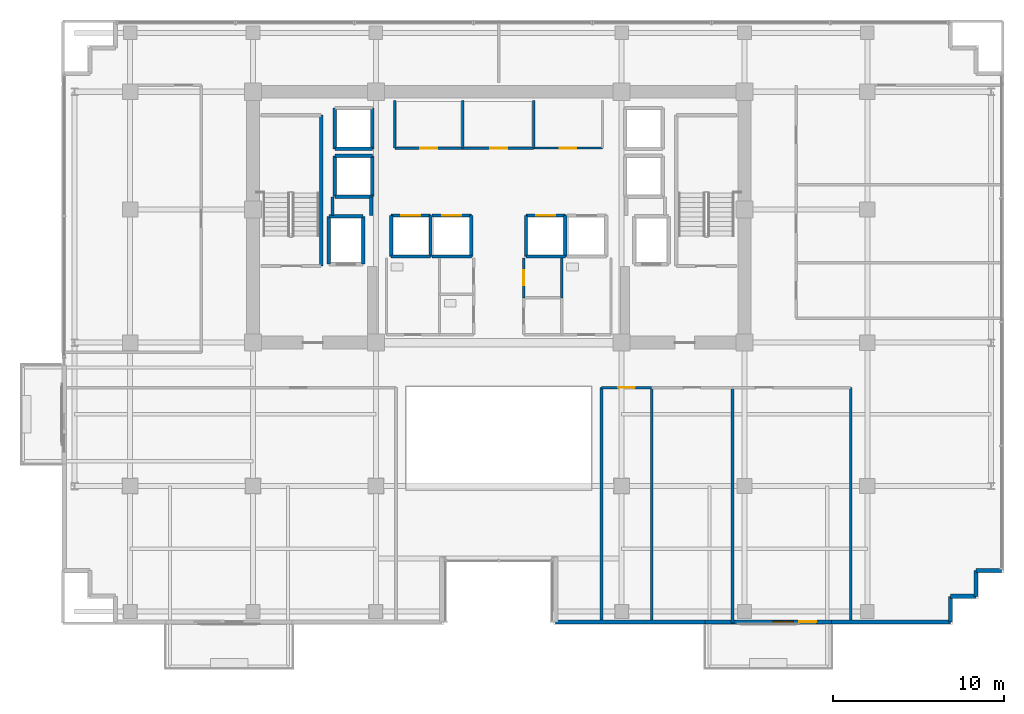
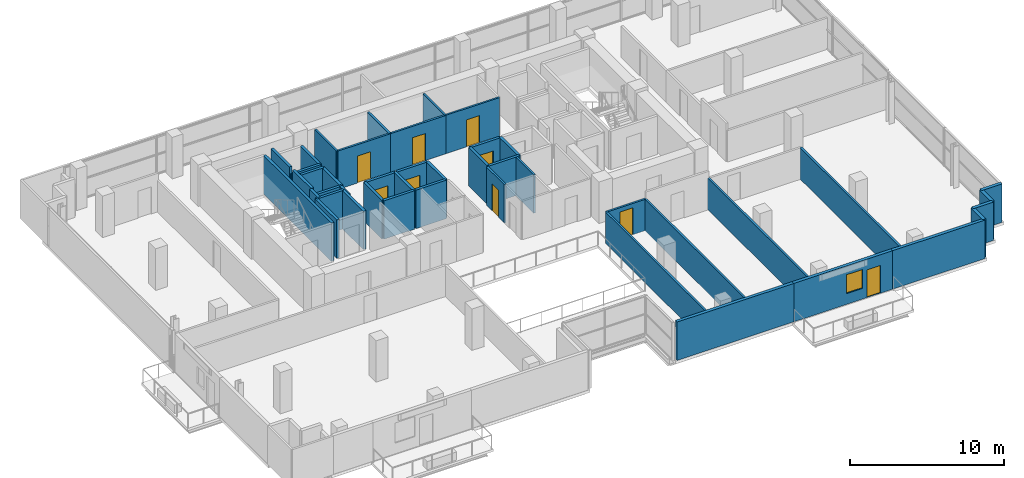
# One storey, part 16 of 22: 44 walls, 9 doors, 1 window, 10 openings.
"""IFC4 building model written with IfcOpenShell, lengths in metres."""

from ifc_helpers import new_model, si_unit, direction, frame, frame_2d, origin, place, context, subcontext, project, spatial, rectangle, extrude, source, transform, mapped, material, layer, layer_set, type_object, element, fill, save


model = new_model("IFC4")

# Units and contexts
model_context = context("Model", 3, precision=1e-05, world=origin(), true_north=direction((0.0, 1.0)))
body_context = subcontext(model_context, "Body", "Model", "MODEL_VIEW")
ifc_project = project(units=[si_unit("LENGTHUNIT", "METRE"), si_unit("AREAUNIT", "SQUARE_METRE"), si_unit("VOLUMEUNIT", "CUBIC_METRE"), si_unit("PLANEANGLEUNIT", "RADIAN"), si_unit("MASSUNIT", "GRAM", prefix="KILO")], contexts=[model_context])

# Site, building, storey
site_placement = place(None, origin())
site = spatial("IfcSite", under=ifc_project, at=site_placement, CompositionType="ELEMENT")
building_placement = place(site_placement, origin())
building = spatial("IfcBuilding", under=site, at=building_placement, Name="Zarnakvel Exchange Tower", CompositionType="ELEMENT")
storey_placement = place(building_placement, frame((0.0, 0.0, 136.300048828125)))
storey = spatial("IfcBuildingStorey", under=building, at=storey_placement, Name="L38", CompositionType="ELEMENT", Elevation=136.300048828125)

# Wall, openings, door, window
ifc_material_1 = material(Name="Precast concrete C40/50", Category="concrete")
ifc_layer_1 = layer(ifc_material_1, 0.239990234375)
ifc_layer_set_1 = layer_set([ifc_layer_1], Name="Precast concrete C40/50")
wall_type_1 = type_object("IfcWallType", Name="EW-02", PredefinedType="SOLIDWALL", material=ifc_layer_set_1)
wall_1_placement = place(storey_placement, frame((19.5, -17.56005859375, 0.0), z_axis=(0.0, 0.0, 1.0), x_axis=(-1.0, 0.0, 0.0)))
wall_1 = element("IfcWall", 1, at=wall_1_placement, inside=storey, type_object=wall_type_1, Name="L38 Exterior Precast Spandrel Wall EW-BAL-L38-SE (EW-02)", PredefinedType="SOLIDWALL", context=body_context, shape_type="SweptSolid", body=[
    extrude(rectangle(XDim=7.39990234375, YDim=0.239990234375, at=frame_2d((3.699951171875, 0.0))), origin(), (0.0, 0.0, 1.0), 3.050048828125),
])
opening_1_placement = place(wall_1_placement, frame((0.887939453125, 0.0, 0.0)))
opening_1 = element("IfcOpeningElement", 2, at=opening_1_placement, cuts=wall_1, Name="Opening BD-L38-02", PredefinedType="OPENING", context=body_context, shape_type="SweptSolid", body=[
    extrude(rectangle(XDim=1.0, YDim=2.199951171875, at=frame_2d((0.5, 1.10009765625))), frame((0.0, 0.1298828125, 0.0), z_axis=(0.0, -1.0, 0.0), x_axis=(1.0, 0.0, 0.0)), (0.0, 0.0, 1.0), 0.260009765625),
])
opening_2_placement = place(wall_1_placement, frame((2.238037109375, 0.0, 0.85009765625)))
opening_2 = element("IfcOpeningElement", 3, at=opening_2_placement, cuts=wall_1, Name="Opening WN-04", PredefinedType="OPENING", context=body_context, shape_type="SweptSolid", body=[
    extrude(rectangle(XDim=1.199951171875, YDim=1.5, at=frame_2d((0.60009765625, 0.75))), frame((0.0, 0.1298828125, 0.0), z_axis=(0.0, -1.0, 0.0), x_axis=(1.0, 0.0, 0.0)), (0.0, 0.0, 1.0), 0.260009765625),
])
ifc_material_2 = material(Name="Architectural Bronze Anodised Aluminium", Category="aluminium")
door_type_1 = type_object("IfcDoorType", Name="DT-09", OperationType="NOTDEFINED", PredefinedType="DOOR", material=ifc_material_2)
shared_shape_1 = source(origin(), body_context, "Body", "SweptSolid", [
    extrude(rectangle(XDim=1.0, YDim=2.199951171875, at=frame_2d((0.5, 1.10009765625))), frame((0.0, 0.02490234375, 0.0), z_axis=(0.0, -1.0, 0.0), x_axis=(1.0, 0.0, 0.0)), (0.0, 0.0, 1.0), 0.050048828125),
])
door_1_placement = place(opening_1_placement, origin())
door_1 = element("IfcDoor", 4, at=door_1_placement, inside=storey, type_object=door_type_1, Name="L38 Planted Loggia Balcony Door BD-L38-02", OperationType="SINGLE_SWING_LEFT", OverallHeight=2.199951171875, OverallWidth=1.0, PredefinedType="DOOR", context=body_context, shape_type="MappedRepresentation", body=[
    mapped(shared_shape_1, transform((0.0, 0.0, 0.0), x_axis=(1.0, 0.0, 0.0), y_axis=(0.0, 1.0, 0.0), z_axis=(0.0, 0.0, 1.0), scale=1.0)),
])
fill(opening_1, door_1)
ifc_material_3 = material(Name="Double Low-E Laminated Vision Glass", Category="glass")
window_type = type_object("IfcWindowType", Name="WN-04", PartitioningType="SINGLE_PANEL", PredefinedType="WINDOW", material=ifc_material_3)
shared_shape_2 = source(origin(), body_context, "Body", "SweptSolid", [
    extrude(rectangle(XDim=1.199951171875, YDim=1.5, at=frame_2d((0.60009765625, 0.75))), frame((0.0, 0.030029296875, 0.0), z_axis=(0.0, -1.0, 0.0), x_axis=(1.0, 0.0, 0.0)), (0.0, 0.0, 1.0), 0.06005859375),
])
window_placement = place(opening_2_placement, origin())
window = element("IfcWindow", 5, at=window_placement, inside=storey, type_object=window_type, Name="L38 Loggia Daylight Window (WN-04)", OverallHeight=1.5, OverallWidth=1.199951171875, PartitioningType="SINGLE_PANEL", PredefinedType="WINDOW", context=body_context, shape_type="MappedRepresentation", body=[
    mapped(shared_shape_2, transform((0.0, 0.0, 0.0), x_axis=(1.0, 0.0, 0.0), y_axis=(0.0, 1.0, 0.0), z_axis=(0.0, 0.0, 1.0), scale=1.0)),
])
fill(opening_2, window)

# Walls
for number, where, z_axis, x_axis, name in (
    (6, (27.9599609375, -14.56005859375, 0.0), (0.0, 0.0, 1.0), (1.0, 0.0, 0.0), "L38 Exterior Precast Spandrel Wall EWC-L38-11 (EW-02)"),
    (7, (27.9599609375, -16.06005859375, 0.0), (0.0, 0.0, 1.0), (0.0, 1.0, 0.0), "L38 Exterior Precast Spandrel Wall EWC-L38-12 (EW-02)"),
    (8, (26.4599609375, -16.06005859375, 0.0), (0.0, 0.0, 1.0), (1.0, 0.0, 0.0), "L38 Exterior Precast Spandrel Wall EWC-L38-13 (EW-02)"),
    (9, (26.4599609375, -17.56005859375, 0.0), (0.0, 0.0, 1.0), (0.0, 1.0, 0.0), "L38 Exterior Precast Spandrel Wall EWC-L38-14 (EW-02)"),
):
    element("IfcWall", number, at=place(storey_placement, frame(where, z_axis=z_axis, x_axis=x_axis)), inside=storey, type_object=wall_type_1, Name=name, PredefinedType="SOLIDWALL", context=body_context, shape_type="SweptSolid", body=[
        extrude(rectangle(XDim=1.5, YDim=0.239990234375, at=frame_2d((0.75, 0.0))), origin(), (0.0, 0.0, 1.0), 3.050048828125),
    ])
wall_2_placement = place(storey_placement, frame((19.5, -17.56005859375, 0.0), z_axis=(0.0, 0.0, 1.0), x_axis=(1.0, 0.0, 0.0)))
element("IfcWall", 10, at=wall_2_placement, inside=storey, type_object=wall_type_1, Name="L38 Exterior Precast Spandrel Wall EWC-L38-15 (EW-02)", PredefinedType="SOLIDWALL", context=body_context, shape_type="SweptSolid", body=[
    extrude(rectangle(XDim=6.9599609375, YDim=0.239990234375, at=frame_2d((3.47998046875, 0.0))), origin(), (0.0, 0.0, 1.0), 3.050048828125),
])
wall_3_placement = place(storey_placement, frame((3.340087890625, -17.56005859375, 0.0), z_axis=(0.0, 0.0, 1.0), x_axis=(1.0, 0.0, 0.0)))
element("IfcWall", 11, at=wall_3_placement, inside=storey, type_object=wall_type_1, Name="L38 Exterior Precast Spandrel Wall EWC-L38-16 (EW-02)", PredefinedType="SOLIDWALL", context=body_context, shape_type="SweptSolid", body=[
    extrude(rectangle(XDim=8.760009765625, YDim=0.239990234375, at=frame_2d((4.3798828125, 0.0))), origin(), (0.0, 0.0, 1.0), 3.050048828125),
])

# Wall, opening, door
ifc_material_4 = material(Name="Fire-Rated Gypsum Stud Partition", Category="gypsum")
ifc_layer_2 = layer(ifc_material_4, 0.14990234375)
ifc_layer_set_2 = layer_set([ifc_layer_2], Name="Fire-Rated Gypsum Stud Partition")
wall_type_2 = type_object("IfcWallType", Name="PT-01", PredefinedType="PARTITIONING", material=ifc_layer_set_2)
wall_4_placement = place(storey_placement, frame((-2.1201171875, 10.199951171875, 0.0), z_axis=(0.0, 0.0, 1.0), x_axis=(-1.0, 0.0, 0.0)))
wall_4 = element("IfcWall", 12, at=wall_4_placement, inside=storey, type_object=wall_type_2, Name="L38 Partition Wall PWALL-L38-011 (PT-01)", PredefinedType="PARTITIONING", context=body_context, shape_type="SweptSolid", body=[
    extrude(rectangle(XDim=3.9599609375, YDim=0.14990234375, at=frame_2d((1.97998046875, 0.0))), origin(), (0.0, 0.0, 1.0), 3.050048828125),
])
opening_3_placement = place(wall_4_placement, frame((1.489990234375, 0.0, 0.0)))
opening_3 = element("IfcOpeningElement", 13, at=opening_3_placement, cuts=wall_4, Name="Opening D-L38-05", PredefinedType="OPENING", context=body_context, shape_type="SweptSolid", body=[
    extrude(rectangle(XDim=0.97998046875, YDim=2.14990234375, at=frame_2d((0.489990234375, 1.074951171875))), frame((0.0, 0.0849609375, 0.0), z_axis=(0.0, -1.0, 0.0), x_axis=(1.0, 0.0, 0.0)), (0.0, 0.0, 1.0), 0.169921875),
])
ifc_material_5 = material(Name="Timber Acoustic Veneer", Category="wood")
door_type_2 = type_object("IfcDoorType", Name="DT-05", OperationType="NOTDEFINED", PredefinedType="DOOR", material=ifc_material_5)
shared_shape_3 = source(origin(), body_context, "Body", "SweptSolid", [
    extrude(rectangle(XDim=0.97998046875, YDim=2.14990234375, at=frame_2d((0.489990234375, 1.074951171875))), frame((0.0, 0.02490234375, 0.0), z_axis=(0.0, -1.0, 0.0), x_axis=(1.0, 0.0, 0.0)), (0.0, 0.0, 1.0), 0.050048828125),
])
door_2_placement = place(opening_3_placement, origin())
door_2 = element("IfcDoor", 14, at=door_2_placement, inside=storey, type_object=door_type_2, Name="L38 Clearing Records Office Door D-L38-05", OperationType="SINGLE_SWING_RIGHT", OverallHeight=2.14990234375, OverallWidth=0.97998046875, PredefinedType="DOOR", context=body_context, shape_type="MappedRepresentation", body=[
    mapped(shared_shape_3, transform((0.0, 0.0, 0.0), x_axis=(1.0, 0.0, 0.0), y_axis=(0.0, 1.0, 0.0), z_axis=(0.0, 0.0, 1.0), scale=1.0)),
])
fill(opening_3, door_2)

# Walls
for number, where, z_axis, x_axis, name in (
    (15, (-6.080078125, 10.199951171875, 0.0), (0.0, 0.0, 1.0), (0.0, 1.0, 0.0), "L38 Partition Wall PWALL-L38-012 (PT-01)"),
    (16, (-2.1201171875, 13.0, 0.0), (0.0, 0.0, 1.0), (0.0, -1.0, 0.0), "L38 Partition Wall PWALL-L38-013 (PT-01)"),
):
    element("IfcWall", number, at=place(storey_placement, frame(where, z_axis=z_axis, x_axis=x_axis)), inside=storey, type_object=wall_type_2, Name=name, PredefinedType="PARTITIONING", context=body_context, shape_type="SweptSolid", body=[
        extrude(rectangle(XDim=2.800048828125, YDim=0.14990234375, at=frame_2d((1.39990234375, 0.0))), origin(), (0.0, 0.0, 1.0), 3.050048828125),
    ])

# Wall, opening, door
wall_5_placement = place(storey_placement, frame((2.0400390625, 10.199951171875, 0.0), z_axis=(0.0, 0.0, 1.0), x_axis=(-1.0, 0.0, 0.0)))
wall_5 = element("IfcWall", 17, at=wall_5_placement, inside=storey, type_object=wall_type_2, Name="L38 Partition Wall PWALL-L38-014 (PT-01)", PredefinedType="PARTITIONING", context=body_context, shape_type="SweptSolid", body=[
    extrude(rectangle(XDim=4.16015625, YDim=0.14990234375, at=frame_2d((2.080078125, 0.0))), origin(), (0.0, 0.0, 1.0), 3.050048828125),
])
opening_4_placement = place(wall_5_placement, frame((1.550048828125, 0.0, 0.0)))
opening_4 = element("IfcOpeningElement", 18, at=opening_4_placement, cuts=wall_5, Name="Opening D-L38-06", PredefinedType="OPENING", context=body_context, shape_type="SweptSolid", body=[
    extrude(rectangle(XDim=0.97998046875, YDim=2.14990234375, at=frame_2d((0.489990234375, 1.074951171875))), frame((0.0, 0.0849609375, 0.0), z_axis=(0.0, -1.0, 0.0), x_axis=(1.0, 0.0, 0.0)), (0.0, 0.0, 1.0), 0.169921875),
])
door_3_placement = place(opening_4_placement, origin())
door_3 = element("IfcDoor", 19, at=door_3_placement, inside=storey, type_object=door_type_2, Name="L38 Brokerage Filing Room Door D-L38-06", OperationType="SINGLE_SWING_LEFT", OverallHeight=2.14990234375, OverallWidth=0.97998046875, PredefinedType="DOOR", context=body_context, shape_type="MappedRepresentation", body=[
    mapped(shared_shape_3, transform((0.0, 0.0, 0.0), x_axis=(1.0, 0.0, 0.0), y_axis=(0.0, 1.0, 0.0), z_axis=(0.0, 0.0, 1.0), scale=1.0)),
])
fill(opening_4, door_3)

# Wall
wall_6_placement = place(storey_placement, frame((2.0400390625, 13.0, 0.0), z_axis=(0.0, 0.0, 1.0), x_axis=(0.0, -1.0, 0.0)))
element("IfcWall", 20, at=wall_6_placement, inside=storey, type_object=wall_type_2, Name="L38 Partition Wall PWALL-L38-015 (PT-01)", PredefinedType="PARTITIONING", context=body_context, shape_type="SweptSolid", body=[
    extrude(rectangle(XDim=2.800048828125, YDim=0.14990234375, at=frame_2d((1.39990234375, 0.0))), origin(), (0.0, 0.0, 1.0), 3.050048828125),
])

# Wall, opening, door
wall_7_placement = place(storey_placement, frame((1.469970703125, 1.429931640625, 0.0), z_axis=(0.0, 0.0, 1.0), x_axis=(0.0, 1.0, 0.0)))
wall_7 = element("IfcWall", 21, at=wall_7_placement, inside=storey, type_object=wall_type_2, Name="L38 Partition Wall PWALL-L38-029 (PT-01)", PredefinedType="PARTITIONING", context=body_context, shape_type="SweptSolid", body=[
    extrude(rectangle(XDim=2.330078125, YDim=0.14990234375, at=frame_2d((1.1650390625, 0.0))), origin(), (0.0, 0.0, 1.0), 3.050048828125),
])
opening_5_placement = place(wall_7_placement, frame((0.72998046875, 0.0, 0.0)))
opening_5 = element("IfcOpeningElement", 22, at=opening_5_placement, cuts=wall_7, Name="Opening D-L38-12", PredefinedType="OPENING", context=body_context, shape_type="SweptSolid", body=[
    extrude(rectangle(XDim=0.8798828125, YDim=2.14990234375, at=frame_2d((0.43994140625, 1.074951171875))), frame((0.0, 0.0849609375, 0.0), z_axis=(0.0, -1.0, 0.0), x_axis=(1.0, 0.0, 0.0)), (0.0, 0.0, 1.0), 0.169921875),
])
shared_shape_4 = source(origin(), body_context, "Body", "SweptSolid", [
    extrude(rectangle(XDim=0.8798828125, YDim=2.14990234375, at=frame_2d((0.43994140625, 1.074951171875))), frame((0.0, 0.02490234375, 0.0), z_axis=(0.0, -1.0, 0.0), x_axis=(1.0, 0.0, 0.0)), (0.0, 0.0, 1.0), 0.050048828125),
])
door_4_placement = place(opening_5_placement, origin())
door_4 = element("IfcDoor", 23, at=door_4_placement, inside=storey, type_object=door_type_2, Name="L38 Stationery Store Door D-L38-12", OperationType="SINGLE_SWING_LEFT", OverallHeight=2.14990234375, OverallWidth=0.8798828125, PredefinedType="DOOR", context=body_context, shape_type="MappedRepresentation", body=[
    mapped(shared_shape_4, transform((0.0, 0.0, 0.0), x_axis=(1.0, 0.0, 0.0), y_axis=(0.0, 1.0, 0.0), z_axis=(0.0, 0.0, 1.0), scale=1.0)),
])
fill(opening_5, door_4)

# Wall
wall_8_placement = place(storey_placement, frame((3.679931640625, 3.760009765625, 0.0), z_axis=(0.0, 0.0, 1.0), x_axis=(0.0, -1.0, 0.0)))
element("IfcWall", 24, at=wall_8_placement, inside=storey, type_object=wall_type_2, Name="L38 Partition Wall PWALL-L38-030 (PT-01)", PredefinedType="PARTITIONING", context=body_context, shape_type="SweptSolid", body=[
    extrude(rectangle(XDim=2.330078125, YDim=0.14990234375, at=frame_2d((1.1650390625, 0.0))), origin(), (0.0, 0.0, 1.0), 3.050048828125),
])

# Wall, opening, door
wall_9_placement = place(storey_placement, frame((6.02001953125, -3.830078125, 0.0), z_axis=(0.0, 0.0, 1.0), x_axis=(1.0, 0.0, 0.0)))
wall_9 = element("IfcWall", 25, at=wall_9_placement, inside=storey, type_object=wall_type_2, Name="L38 Partition Wall PWALL-L38-038 (PT-01)", PredefinedType="PARTITIONING", context=body_context, shape_type="SweptSolid", body=[
    extrude(rectangle(XDim=2.944091796875, YDim=0.14990234375, at=frame_2d((1.47216796875, 0.0))), origin(), (0.0, 0.0, 1.0), 2.489990234375),
])
opening_6_placement = place(wall_9_placement, frame((0.98193359375, 0.0, 0.0)))
opening_6 = element("IfcOpeningElement", 26, at=opening_6_placement, cuts=wall_9, Name="Opening D-L38-15", PredefinedType="OPENING", context=body_context, shape_type="SweptSolid", body=[
    extrude(rectangle(XDim=0.97998046875, YDim=2.14990234375, at=frame_2d((0.489990234375, 1.074951171875))), frame((0.0, 0.0849609375, 0.0), z_axis=(0.0, -1.0, 0.0), x_axis=(1.0, 0.0, 0.0)), (0.0, 0.0, 1.0), 0.169921875),
])
door_5_placement = place(opening_6_placement, origin())
door_5 = element("IfcDoor", 27, at=door_5_placement, inside=storey, type_object=door_type_2, Name="L38 Boardroom Door D-L38-15", OperationType="SINGLE_SWING_RIGHT", OverallHeight=2.14990234375, OverallWidth=0.97998046875, PredefinedType="DOOR", context=body_context, shape_type="MappedRepresentation", body=[
    mapped(shared_shape_3, transform((0.0, 0.0, 0.0), x_axis=(1.0, 0.0, 0.0), y_axis=(0.0, 1.0, 0.0), z_axis=(0.0, 0.0, 1.0), scale=1.0)),
])
fill(opening_6, door_5)

# Walls
for number, where, z_axis, x_axis, name in (
    (28, (6.02001953125, -17.6298828125, 0.0), (0.0, 0.0, 1.0), (0.0, 1.0, 0.0), "L38 Partition Wall PWALL-L38-039 (PT-01)"),
    (29, (8.964111328125, -3.830078125, 0.0), (0.0, 0.0, 1.0), (0.0, -1.0, 0.0), "L38 Partition Wall PWALL-L38-040 (PT-01)"),
    (30, (13.6982421875, -3.830078125, 0.0), (0.0, 0.0, 1.0), (0.0, -1.0, 0.0), "L38 Partition Wall PWALL-L38-043 (PT-01)"),
    (31, (20.619873046875, -3.830078125, 0.0), (0.0, 0.0, 1.0), (0.0, -1.0, 0.0), "L38 Partition Wall PWALL-L38-046 (PT-01)"),
):
    element("IfcWall", number, at=place(storey_placement, frame(where, z_axis=z_axis, x_axis=x_axis)), inside=storey, type_object=wall_type_2, Name=name, PredefinedType="PARTITIONING", context=body_context, shape_type="SweptSolid", body=[
        extrude(rectangle(XDim=13.7998046875, YDim=0.14990234375, at=frame_2d((6.89990234375, 0.0))), origin(), (0.0, 0.0, 1.0), 2.489990234375),
    ])
ifc_layer_3 = layer(ifc_material_4, 0.179931640625)
ifc_layer_set_3 = layer_set([ifc_layer_3], Name="Fire-Rated Gypsum Stud Partition")
wall_type_3 = type_object("IfcWallType", Name="PT-02", PredefinedType="PARTITIONING", material=ifc_layer_set_3)
wall_10_placement = place(storey_placement, frame((-9.72998046875, 6.239990234375, 0.0), z_axis=(0.0, 0.0, 1.0), x_axis=(0.0, 1.0, 0.0)))
element("IfcWall", 32, at=wall_10_placement, inside=storey, type_object=wall_type_3, Name="L38 Partition Wall PWALL-L38-007 (PT-02)", PredefinedType="PARTITIONING", context=body_context, shape_type="SweptSolid", body=[
    extrude(rectangle(XDim=1.090087890625, YDim=0.179931640625, at=frame_2d((0.544921875, 0.0))), origin(), (0.0, 0.0, 1.0), 3.050048828125),
])
wall_11_placement = place(storey_placement, frame((-7.469970703125, 7.330078125, 0.0), z_axis=(0.0, 0.0, 1.0), x_axis=(0.0, -1.0, 0.0)))
element("IfcWall", 33, at=wall_11_placement, inside=storey, type_object=wall_type_3, Name="L38 Partition Wall PWALL-L38-008 (PT-02)", PredefinedType="PARTITIONING", context=body_context, shape_type="SweptSolid", body=[
    extrude(rectangle(XDim=1.090087890625, YDim=0.179931640625, at=frame_2d((0.544921875, 0.0))), origin(), (0.0, 0.0, 1.0), 2.489990234375),
])

# Wall, opening, door
ifc_material_6 = material(Name="Moisture-Resistant Tile-Faced Partition", Category="gypsum")
ifc_layer_4 = layer(ifc_material_6, 0.135009765625)
ifc_layer_set_4 = layer_set([ifc_layer_4], Name="Moisture-Resistant Tile-Faced Partition")
wall_type_4 = type_object("IfcWallType", Name="PT-03", PredefinedType="PARTITIONING", material=ifc_layer_set_4)
wall_12_placement = place(storey_placement, frame((6.080078125, 10.199951171875, 0.0), z_axis=(0.0, 0.0, 1.0), x_axis=(-1.0, 0.0, 0.0)))
wall_12 = element("IfcWall", 34, at=wall_12_placement, inside=storey, type_object=wall_type_4, Name="L38 Partition Wall PWALL-L38-016 (PT-03)", PredefinedType="PARTITIONING", context=body_context, shape_type="SweptSolid", body=[
    extrude(rectangle(XDim=4.0400390625, YDim=0.135009765625, at=frame_2d((2.02001953125, 0.0))), origin(), (0.0, 0.0, 1.0), 3.050048828125),
])
opening_7_placement = place(wall_12_placement, frame((1.530029296875, 0.0, 0.0)))
opening_7 = element("IfcOpeningElement", 35, at=opening_7_placement, cuts=wall_12, Name="Opening D-L38-07", PredefinedType="OPENING", context=body_context, shape_type="SweptSolid", body=[
    extrude(rectangle(XDim=0.97998046875, YDim=2.14990234375, at=frame_2d((0.489990234375, 1.074951171875))), frame((0.0, 0.077392578125, 0.0), z_axis=(0.0, -1.0, 0.0), x_axis=(1.0, 0.0, 0.0)), (0.0, 0.0, 1.0), 0.155029296875),
])
door_6_placement = place(opening_7_placement, origin())
door_6 = element("IfcDoor", 36, at=door_6_placement, inside=storey, type_object=door_type_2, Name="L38 Executive Tea Pantry Door D-L38-07", OperationType="SINGLE_SWING_RIGHT", OverallHeight=2.14990234375, OverallWidth=0.97998046875, PredefinedType="DOOR", context=body_context, shape_type="MappedRepresentation", body=[
    mapped(shared_shape_3, transform((0.0, 0.0, 0.0), x_axis=(1.0, 0.0, 0.0), y_axis=(0.0, 1.0, 0.0), z_axis=(0.0, 0.0, 1.0), scale=1.0)),
])
fill(opening_7, door_6)

# Walls
ifc_material_7 = material(Name="Concrete C40/50", Category="concrete")
ifc_layer_5 = layer(ifc_material_7, 0.199951171875)
ifc_layer_set_5 = layer_set([ifc_layer_5], Name="Concrete C40/50")
wall_type_5 = type_object("IfcWallType", Name="SW-01", PredefinedType="SOLIDWALL", material=ifc_layer_set_5)
wall_13_placement = place(storey_placement, frame((-9.949951171875, 6.199951171875, 0.0), z_axis=(0.0, 0.0, 1.0), x_axis=(1.0, 0.0, 0.0)))
element("IfcWall", 37, at=wall_13_placement, inside=storey, type_object=wall_type_5, Name="L38 FL-01 Hoistway Wall North", PredefinedType="SOLIDWALL", context=body_context, shape_type="SweptSolid", body=[
    extrude(rectangle(XDim=2.0, YDim=0.199951171875, at=frame_2d((1.0, 0.0))), origin(), (0.0, 0.0, 1.0), 3.050048828125),
])
for number, where, z_axis, x_axis, name in (
    (38, (-9.949951171875, 3.39990234375, 0.0), (0.0, 0.0, 1.0), (0.0, 1.0, 0.0), "L38 FL-01 Hoistway Wall West"),
    (39, (-7.949951171875, 6.199951171875, 0.0), (0.0, 0.0, 1.0), (0.0, -1.0, 0.0), "L38 FL-01 Hoistway Wall East"),
):
    element("IfcWall", number, at=place(storey_placement, frame(where, z_axis=z_axis, x_axis=x_axis)), inside=storey, type_object=wall_type_5, Name=name, PredefinedType="SOLIDWALL", context=body_context, shape_type="SweptSolid", body=[
        extrude(rectangle(XDim=2.800048828125, YDim=0.199951171875, at=frame_2d((1.39990234375, 0.0))), origin(), (0.0, 0.0, 1.0), 3.050048828125),
    ])
wall_14_placement = place(storey_placement, frame((-4.0, 3.85009765625, 0.0), z_axis=(0.0, 0.0, 1.0), x_axis=(-1.0, 0.0, 0.0)))
element("IfcWall", 40, at=wall_14_placement, inside=storey, type_object=wall_type_5, Name="L38 PL-05 Hoistway Wall South", PredefinedType="SOLIDWALL", context=body_context, shape_type="SweptSolid", body=[
    extrude(rectangle(XDim=2.300048828125, YDim=0.199951171875, at=frame_2d((1.14990234375, 0.0))), origin(), (0.0, 0.0, 1.0), 3.050048828125),
])

# Wall, opening, door
wall_15_placement = place(storey_placement, frame((-6.300048828125, 6.25, 0.0), z_axis=(0.0, 0.0, 1.0), x_axis=(1.0, 0.0, 0.0)))
wall_15 = element("IfcWall", 41, at=wall_15_placement, inside=storey, type_object=wall_type_5, Name="L38 PL-05 Hoistway Wall North", PredefinedType="SOLIDWALL", context=body_context, shape_type="SweptSolid", body=[
    extrude(rectangle(XDim=2.300048828125, YDim=0.199951171875, at=frame_2d((1.14990234375, 0.0))), origin(), (0.0, 0.0, 1.0), 3.050048828125),
])
opening_8_placement = place(wall_15_placement, frame((0.60009765625, 0.0, 0.0)))
opening_8 = element("IfcOpeningElement", 42, at=opening_8_placement, cuts=wall_15, Name="Opening LD-PL-05-L38", PredefinedType="OPENING", context=body_context, shape_type="SweptSolid", body=[
    extrude(rectangle(XDim=1.10009765625, YDim=2.199951171875, at=frame_2d((0.550048828125, 1.10009765625))), frame((0.0, 0.10986328125, 0.0), z_axis=(0.0, -1.0, 0.0), x_axis=(1.0, 0.0, 0.0)), (0.0, 0.0, 1.0), 0.219970703125),
])
door_type_3 = type_object("IfcDoorType", Name="LDT-02", OperationType="NOTDEFINED", PredefinedType="DOOR", material=ifc_material_2)
shared_shape_5 = source(origin(), body_context, "Body", "SweptSolid", [
    extrude(rectangle(XDim=1.10009765625, YDim=2.199951171875, at=frame_2d((0.550048828125, 1.10009765625))), frame((0.0, 0.02490234375, 0.0), z_axis=(0.0, -1.0, 0.0), x_axis=(1.0, 0.0, 0.0)), (0.0, 0.0, 1.0), 0.050048828125),
])
door_7_placement = place(opening_8_placement, origin())
door_7 = element("IfcDoor", 43, at=door_7_placement, inside=storey, type_object=door_type_3, Name="L38 PL-05 Lift Landing Door LD-PL-05-L38", OperationType="DOUBLE_DOOR_SLIDING", OverallHeight=2.199951171875, OverallWidth=1.10009765625, PredefinedType="DOOR", context=body_context, shape_type="MappedRepresentation", body=[
    mapped(shared_shape_5, transform((0.0, 0.0, 0.0), x_axis=(1.0, 0.0, 0.0), y_axis=(0.0, 1.0, 0.0), z_axis=(0.0, 0.0, 1.0), scale=1.0)),
])
fill(opening_8, door_7)

# Walls
for number, where, z_axis, x_axis, name in (
    (44, (-6.300048828125, 3.85009765625, 0.0), (0.0, 0.0, 1.0), (0.0, 1.0, 0.0), "L38 PL-05 Hoistway Wall West"),
    (45, (-4.0, 6.25, 0.0), (0.0, 0.0, 1.0), (0.0, -1.0, 0.0), "L38 PL-05 Hoistway Wall East"),
):
    element("IfcWall", number, at=place(storey_placement, frame(where, z_axis=z_axis, x_axis=x_axis)), inside=storey, type_object=wall_type_5, Name=name, PredefinedType="SOLIDWALL", context=body_context, shape_type="SweptSolid", body=[
        extrude(rectangle(XDim=2.39990234375, YDim=0.199951171875, at=frame_2d((1.199951171875, 0.0))), origin(), (0.0, 0.0, 1.0), 3.050048828125),
    ])
wall_16_placement = place(storey_placement, frame((-1.60009765625, 3.85009765625, 0.0), z_axis=(0.0, 0.0, 1.0), x_axis=(-1.0, 0.0, 0.0)))
element("IfcWall", 46, at=wall_16_placement, inside=storey, type_object=wall_type_5, Name="L38 PL-06 Hoistway Wall South", PredefinedType="SOLIDWALL", context=body_context, shape_type="SweptSolid", body=[
    extrude(rectangle(XDim=2.2998046875, YDim=0.199951171875, at=frame_2d((1.14990234375, 0.0))), origin(), (0.0, 0.0, 1.0), 3.050048828125),
])

# Wall, opening, door
wall_17_placement = place(storey_placement, frame((-3.89990234375, 6.25, 0.0), z_axis=(0.0, 0.0, 1.0), x_axis=(1.0, 0.0, 0.0)))
wall_17 = element("IfcWall", 47, at=wall_17_placement, inside=storey, type_object=wall_type_5, Name="L38 PL-06 Hoistway Wall North", PredefinedType="SOLIDWALL", context=body_context, shape_type="SweptSolid", body=[
    extrude(rectangle(XDim=2.2998046875, YDim=0.199951171875, at=frame_2d((1.14990234375, 0.0))), origin(), (0.0, 0.0, 1.0), 3.050048828125),
])
opening_9_placement = place(wall_17_placement, frame((0.60009765625, 0.0, 0.0)))
opening_9 = element("IfcOpeningElement", 48, at=opening_9_placement, cuts=wall_17, Name="Opening LD-PL-06-L38", PredefinedType="OPENING", context=body_context, shape_type="SweptSolid", body=[
    extrude(rectangle(XDim=1.10009765625, YDim=2.199951171875, at=frame_2d((0.550048828125, 1.10009765625))), frame((0.0, 0.10986328125, 0.0), z_axis=(0.0, -1.0, 0.0), x_axis=(1.0, 0.0, 0.0)), (0.0, 0.0, 1.0), 0.219970703125),
])
door_8_placement = place(opening_9_placement, origin())
door_8 = element("IfcDoor", 49, at=door_8_placement, inside=storey, type_object=door_type_3, Name="L38 PL-06 Lift Landing Door LD-PL-06-L38", OperationType="DOUBLE_DOOR_SLIDING", OverallHeight=2.199951171875, OverallWidth=1.10009765625, PredefinedType="DOOR", context=body_context, shape_type="MappedRepresentation", body=[
    mapped(shared_shape_5, transform((0.0, 0.0, 0.0), x_axis=(1.0, 0.0, 0.0), y_axis=(0.0, 1.0, 0.0), z_axis=(0.0, 0.0, 1.0), scale=1.0)),
])
fill(opening_9, door_8)

# Walls
wall_18_placement = place(storey_placement, frame((-1.60009765625, 6.25, 0.0), z_axis=(0.0, 0.0, 1.0), x_axis=(0.0, -1.0, 0.0)))
element("IfcWall", 50, at=wall_18_placement, inside=storey, type_object=wall_type_5, Name="L38 PL-06 Hoistway Wall East", PredefinedType="SOLIDWALL", context=body_context, shape_type="SweptSolid", body=[
    extrude(rectangle(XDim=2.39990234375, YDim=0.199951171875, at=frame_2d((1.199951171875, 0.0))), origin(), (0.0, 0.0, 1.0), 3.050048828125),
])
wall_19_placement = place(storey_placement, frame((3.89990234375, 3.85009765625, 0.0), z_axis=(0.0, 0.0, 1.0), x_axis=(-1.0, 0.0, 0.0)))
element("IfcWall", 51, at=wall_19_placement, inside=storey, type_object=wall_type_5, Name="L38 PL-07 Hoistway Wall South", PredefinedType="SOLIDWALL", context=body_context, shape_type="SweptSolid", body=[
    extrude(rectangle(XDim=2.2998046875, YDim=0.199951171875, at=frame_2d((1.14990234375, 0.0))), origin(), (0.0, 0.0, 1.0), 3.050048828125),
])

# Wall, opening, door
wall_20_placement = place(storey_placement, frame((1.60009765625, 6.25, 0.0), z_axis=(0.0, 0.0, 1.0), x_axis=(1.0, 0.0, 0.0)))
wall_20 = element("IfcWall", 52, at=wall_20_placement, inside=storey, type_object=wall_type_5, Name="L38 PL-07 Hoistway Wall North", PredefinedType="SOLIDWALL", context=body_context, shape_type="SweptSolid", body=[
    extrude(rectangle(XDim=2.2998046875, YDim=0.199951171875, at=frame_2d((1.14990234375, 0.0))), origin(), (0.0, 0.0, 1.0), 3.050048828125),
])
opening_10_placement = place(wall_20_placement, frame((0.60009765625, 0.0, 0.0)))
opening_10 = element("IfcOpeningElement", 53, at=opening_10_placement, cuts=wall_20, Name="Opening LD-PL-07-L38", PredefinedType="OPENING", context=body_context, shape_type="SweptSolid", body=[
    extrude(rectangle(XDim=1.10009765625, YDim=2.199951171875, at=frame_2d((0.550048828125, 1.10009765625))), frame((0.0, 0.10986328125, 0.0), z_axis=(0.0, -1.0, 0.0), x_axis=(1.0, 0.0, 0.0)), (0.0, 0.0, 1.0), 0.219970703125),
])
door_9_placement = place(opening_10_placement, origin())
door_9 = element("IfcDoor", 54, at=door_9_placement, inside=storey, type_object=door_type_3, Name="L38 PL-07 Lift Landing Door LD-PL-07-L38", OperationType="DOUBLE_DOOR_SLIDING", OverallHeight=2.199951171875, OverallWidth=1.10009765625, PredefinedType="DOOR", context=body_context, shape_type="MappedRepresentation", body=[
    mapped(shared_shape_5, transform((0.0, 0.0, 0.0), x_axis=(1.0, 0.0, 0.0), y_axis=(0.0, 1.0, 0.0), z_axis=(0.0, 0.0, 1.0), scale=1.0)),
])
fill(opening_10, door_9)

# Walls
for number, where, z_axis, x_axis, name in (
    (55, (1.60009765625, 3.85009765625, 0.0), (0.0, 0.0, 1.0), (0.0, 1.0, 0.0), "L38 PL-07 Hoistway Wall West"),
    (56, (3.89990234375, 6.25, 0.0), (0.0, 0.0, 1.0), (0.0, -1.0, 0.0), "L38 PL-07 Hoistway Wall East"),
):
    element("IfcWall", number, at=place(storey_placement, frame(where, z_axis=z_axis, x_axis=x_axis)), inside=storey, type_object=wall_type_5, Name=name, PredefinedType="SOLIDWALL", context=body_context, shape_type="SweptSolid", body=[
        extrude(rectangle(XDim=2.39990234375, YDim=0.199951171875, at=frame_2d((1.199951171875, 0.0))), origin(), (0.0, 0.0, 1.0), 3.050048828125),
    ])
for number, where, z_axis, x_axis, name in (
    (57, (-7.39990234375, 7.35009765625, 0.0), (0.0, 0.0, 1.0), (-1.0, 0.0, 0.0), "L38 PL-09 Hoistway Wall South"),
    (58, (-9.60009765625, 9.75, 0.0), (0.0, 0.0, 1.0), (1.0, 0.0, 0.0), "L38 PL-09 Hoistway Wall North"),
):
    element("IfcWall", number, at=place(storey_placement, frame(where, z_axis=z_axis, x_axis=x_axis)), inside=storey, type_object=wall_type_5, Name=name, PredefinedType="SOLIDWALL", context=body_context, shape_type="SweptSolid", body=[
        extrude(rectangle(XDim=2.2001953125, YDim=0.199951171875, at=frame_2d((1.10009765625, 0.0))), origin(), (0.0, 0.0, 1.0), 2.489990234375),
    ])
wall_21_placement = place(storey_placement, frame((-9.60009765625, 7.35009765625, 0.0), z_axis=(0.0, 0.0, 1.0), x_axis=(0.0, 1.0, 0.0)))
element("IfcWall", 59, at=wall_21_placement, inside=storey, type_object=wall_type_5, Name="L38 PL-09 Hoistway Wall West", PredefinedType="SOLIDWALL", context=body_context, shape_type="SweptSolid", body=[
    extrude(rectangle(XDim=2.39990234375, YDim=0.199951171875, at=frame_2d((1.199951171875, 0.0))), origin(), (0.0, 0.0, 1.0), 3.050048828125),
])
wall_22_placement = place(storey_placement, frame((-7.39990234375, 9.75, 0.0), z_axis=(0.0, 0.0, 1.0), x_axis=(0.0, -1.0, 0.0)))
element("IfcWall", 60, at=wall_22_placement, inside=storey, type_object=wall_type_5, Name="L38 PL-09 Hoistway Wall East", PredefinedType="SOLIDWALL", context=body_context, shape_type="SweptSolid", body=[
    extrude(rectangle(XDim=2.39990234375, YDim=0.199951171875, at=frame_2d((1.199951171875, 0.0))), origin(), (0.0, 0.0, 1.0), 2.489990234375),
])
wall_23_placement = place(storey_placement, frame((-7.39990234375, 10.14990234375, 0.0), z_axis=(0.0, 0.0, 1.0), x_axis=(-1.0, 0.0, 0.0)))
element("IfcWall", 61, at=wall_23_placement, inside=storey, type_object=wall_type_5, Name="L38 PL-10 Hoistway Wall South", PredefinedType="SOLIDWALL", context=body_context, shape_type="SweptSolid", body=[
    extrude(rectangle(XDim=2.2001953125, YDim=0.199951171875, at=frame_2d((1.10009765625, 0.0))), origin(), (0.0, 0.0, 1.0), 2.489990234375),
])
wall_24_placement = place(storey_placement, frame((-9.60009765625, 10.14990234375, 0.0), z_axis=(0.0, 0.0, 1.0), x_axis=(0.0, 1.0, 0.0)))
element("IfcWall", 62, at=wall_24_placement, inside=storey, type_object=wall_type_5, Name="L38 PL-10 Hoistway Wall West", PredefinedType="SOLIDWALL", context=body_context, shape_type="SweptSolid", body=[
    extrude(rectangle(XDim=2.400146484375, YDim=0.199951171875, at=frame_2d((1.2001953125, 0.0))), origin(), (0.0, 0.0, 1.0), 3.050048828125),
])
wall_25_placement = place(storey_placement, frame((-7.39990234375, 12.550048828125, 0.0), z_axis=(0.0, 0.0, 1.0), x_axis=(0.0, -1.0, 0.0)))
element("IfcWall", 63, at=wall_25_placement, inside=storey, type_object=wall_type_5, Name="L38 PL-10 Hoistway Wall East", PredefinedType="SOLIDWALL", context=body_context, shape_type="SweptSolid", body=[
    extrude(rectangle(XDim=2.400146484375, YDim=0.199951171875, at=frame_2d((1.2001953125, 0.0))), origin(), (0.0, 0.0, 1.0), 2.489990234375),
])
ifc_layer_6 = layer(ifc_material_7, 0.199951171875)
ifc_layer_set_6 = layer_set([ifc_layer_6], Name="Concrete C40/50")
wall_type_6 = type_object("IfcWallType", Name="SW-02", PredefinedType="SOLIDWALL", material=ifc_layer_set_6)
wall_26_placement = place(storey_placement, frame((-10.409912109375, 12.1298828125, 0.0), z_axis=(0.0, 0.0, 1.0), x_axis=(0.0, -1.0, 0.0)))
element("IfcWall", 64, at=wall_26_placement, inside=storey, type_object=wall_type_6, Name="L38 Stairwell Core Wall PWALL-L38-003 (SW-02)", PredefinedType="SOLIDWALL", context=body_context, shape_type="SweptSolid", body=[
    extrude(rectangle(XDim=8.83984375, YDim=0.199951171875, at=frame_2d((4.419921875, 0.0))), origin(), (0.0, 0.0, 1.0), 3.050048828125),
])

save(model, "model.ifc")
